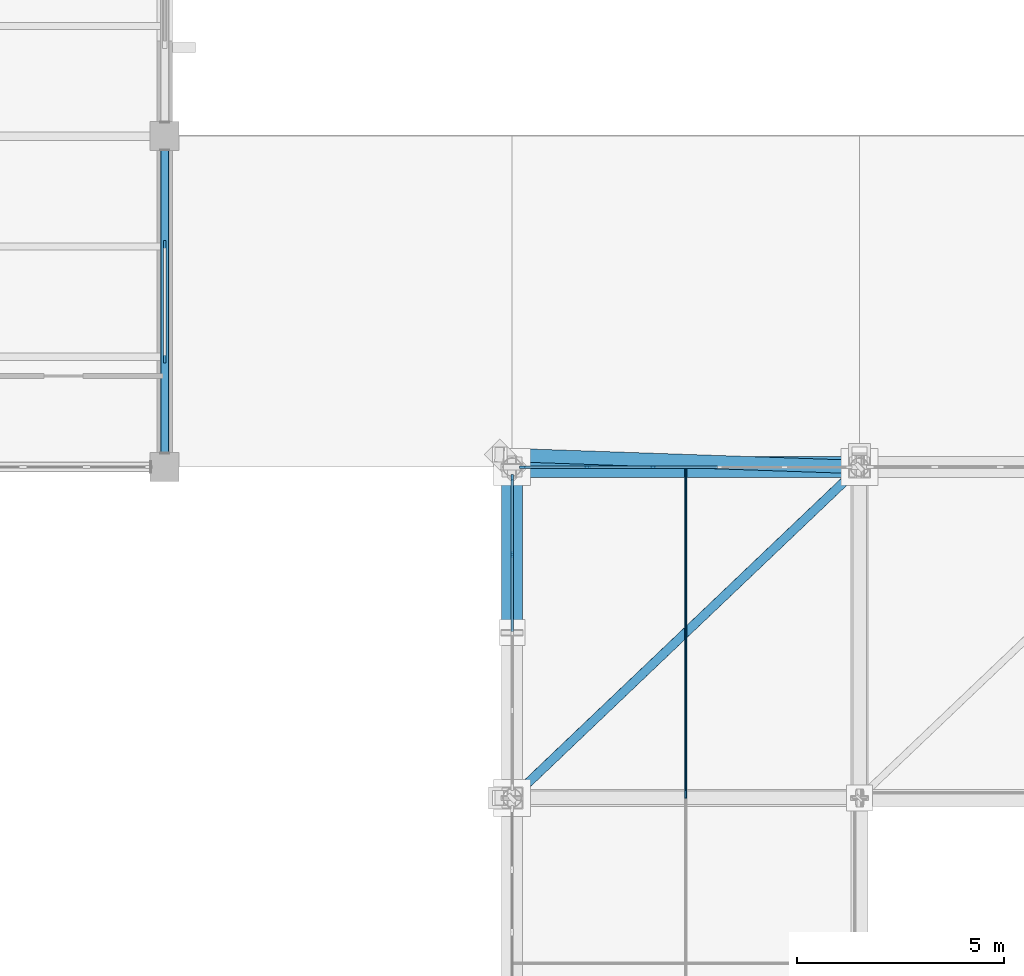
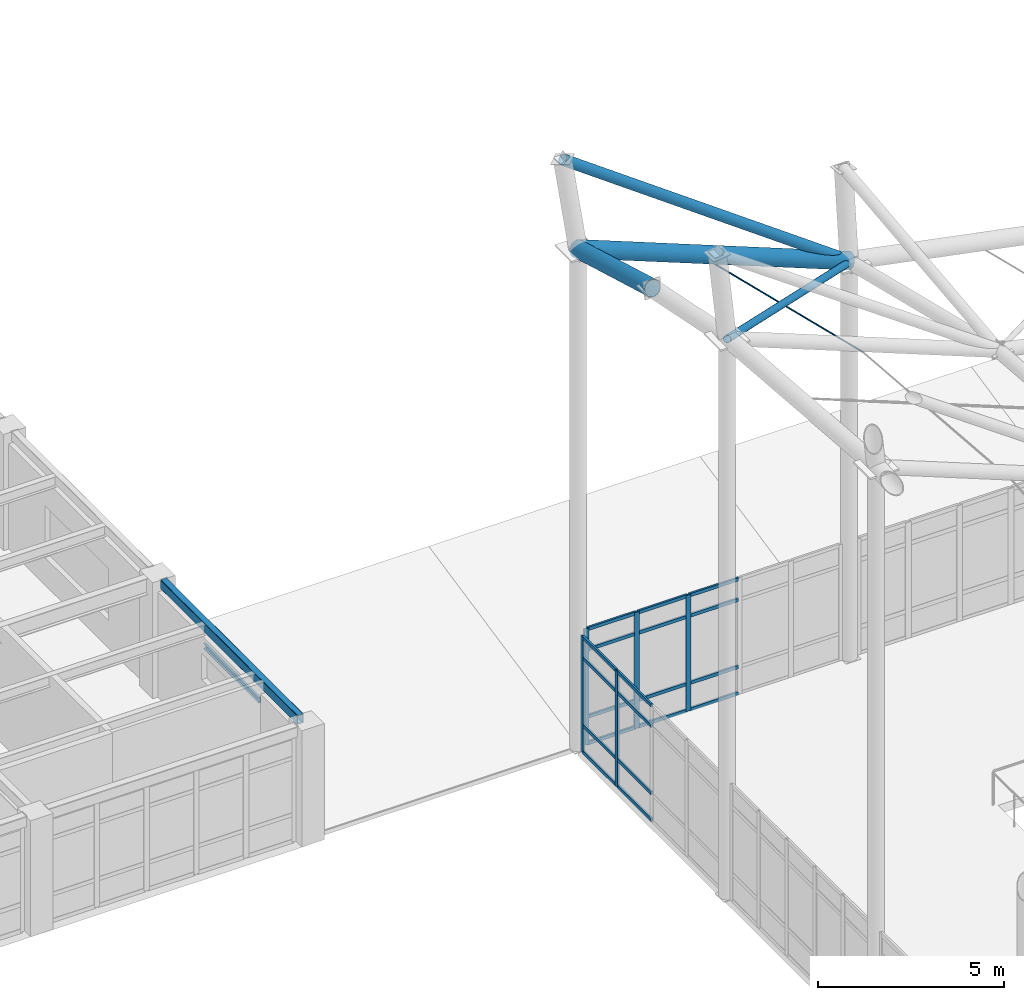
# One storey, part 42 of 138: 28 members, 4 beams, 2 elements without a shape of their own.
"""IFC4 building model written with IfcOpenShell, lengths in metres."""

from ifc_helpers import new_model, si_unit, direction, frame, origin, origin_2d, place, context, subcontext, project, spatial, rectangle, hollow_rectangle, circle, hollow_circle, u_section, extrude, material, layer, layer_set, material_profile, profile_set, type_object, element, aggregate, save


model = new_model("IFC4")

# Units and contexts
model_context = context("Model", 3, precision=1e-05, world=origin(), true_north=direction((0.0, 1.0)))
body_context = subcontext(model_context, "Body", "Model", "MODEL_VIEW")
ifc_project = project(units=[si_unit("LENGTHUNIT", "METRE"), si_unit("AREAUNIT", "SQUARE_METRE"), si_unit("VOLUMEUNIT", "CUBIC_METRE"), si_unit("PLANEANGLEUNIT", "RADIAN"), si_unit("MASSUNIT", "GRAM", prefix="KILO")], contexts=[model_context])

# Site, building, storey
site_placement = place(None, origin())
site = spatial("IfcSite", under=ifc_project, at=site_placement, CompositionType="ELEMENT")
building_placement = place(site_placement, origin())
building = spatial("IfcBuilding", under=site, at=building_placement, Name="Kranzveld Transit Interchange", CompositionType="ELEMENT")
storey_placement = place(building_placement, frame((0.0, 0.0, 5.43994140625)))
storey = spatial("IfcBuildingStorey", under=building, at=storey_placement, Name="L01", CompositionType="ELEMENT", Elevation=5.43994140625)

# Curtain wall, members
ifc_material_1 = material(Name="Bronze-anodised thermally broken aluminium", Category="aluminium")
ifc_layer_1 = layer(ifc_material_1, 0.159912109375)
ifc_layer_set_1 = layer_set([ifc_layer_1], Name="Bronze-anodised thermally broken aluminium")
curtain_wall_type_1 = type_object("IfcCurtainWallType", Name="Bus Boarding Glazed Screen CW-3", PredefinedType="USERDEFINED", material=ifc_layer_set_1)
curtain_wall_1_placement = place(storey_placement, origin())
curtain_wall_1 = element("IfcCurtainWall", 1, at=curtain_wall_1_placement, inside=storey, type_object=curtain_wall_type_1, Name="L01 Curtain Wall 08/L-08/M", ObjectType="CURTAIN WALL", PredefinedType="USERDEFINED")
ifc_material_2 = material(Name="Bronze-anodised thermally broken aluminium", Category="aluminium")
ifc_material_profile_1 = material_profile(ifc_material_2, rectangle(XDim=0.06005859375, YDim=0.14990234375, at=origin_2d()), Name="ALU MULLION 60x150")
ifc_profile_set_1 = profile_set([ifc_material_profile_1], Name="Bronze-anodised thermally broken aluminium")
member_type_1 = type_object("IfcMemberType", Name="Curtain Wall Mullion 60x150 Alu", PredefinedType="MULLION", material=ifc_profile_set_1)
member_1_placement = place(storey_placement, frame((58.800048828125, 85.8857421875, 0.0), z_axis=(0.0, 0.0, 1.0), x_axis=(-1.0, 0.0, 0.0)))
member_1 = element("IfcMember", 2, at=member_1_placement, type_object=member_type_1, Name="CW-3 mullion 4", PredefinedType="MULLION", context=body_context, shape_type="SweptSolid", body=[
    extrude(rectangle(XDim=0.06005859375, YDim=0.14990234375, at=origin_2d()), origin(), (0.0, 0.0, 1.0), 3.800048828125),
])
member_2_placement = place(storey_placement, frame((58.800048828125, 87.741455078125, 0.0), z_axis=(0.0, 0.0, 1.0), x_axis=(-1.0, 0.0, 0.0)))
member_2 = element("IfcMember", 3, at=member_2_placement, type_object=member_type_1, Name="CW-3 mullion 5", PredefinedType="MULLION", context=body_context, shape_type="SweptSolid", body=[
    extrude(rectangle(XDim=0.06005859375, YDim=0.14990234375, at=origin_2d()), origin(), (0.0, 0.0, 1.0), 3.800048828125),
])

ifc_material_3 = material(Name="Bronze-anodised thermally broken aluminium", Category="aluminium")
ifc_layer_2 = layer(ifc_material_3, 0.14990234375)
ifc_layer_set_2 = layer_set([ifc_layer_2], Name="Bronze-anodised thermally broken aluminium")
curtain_wall_type_2 = type_object("IfcCurtainWallType", Name="Public Passage Clerestory Screen CW-4", PredefinedType="USERDEFINED", material=ifc_layer_set_2)
curtain_wall_2_placement = place(storey_placement, origin())
curtain_wall_2 = element("IfcCurtainWall", 4, at=curtain_wall_2_placement, inside=storey, type_object=curtain_wall_type_2, Name="L01 Curtain Wall 08/M-09/M", ObjectType="CURTAIN WALL", PredefinedType="USERDEFINED")
member_3_placement = place(storey_placement, frame((59.05859375, 88.0, 0.0), z_axis=(0.0, 0.0, 1.0), x_axis=(0.0, 1.0, 0.0)))
member_3 = element("IfcMember", 5, at=member_3_placement, type_object=member_type_1, Name="CW-4 mullion 1", PredefinedType="MULLION", context=body_context, shape_type="SweptSolid", body=[
    extrude(rectangle(XDim=0.06005859375, YDim=0.14990234375, at=origin_2d()), origin(), (0.0, 0.0, 1.0), 3.800048828125),
])
member_4_placement = place(storey_placement, frame((60.6171875, 88.0, 0.0), z_axis=(0.0, 0.0, 1.0), x_axis=(0.0, 1.0, 0.0)))
member_4 = element("IfcMember", 6, at=member_4_placement, type_object=member_type_1, Name="CW-4 mullion 2", PredefinedType="MULLION", context=body_context, shape_type="SweptSolid", body=[
    extrude(rectangle(XDim=0.06005859375, YDim=0.14990234375, at=origin_2d()), origin(), (0.0, 0.0, 1.0), 3.800048828125),
])
member_5_placement = place(storey_placement, frame((62.205810546875, 88.0, 0.0), z_axis=(0.0, 0.0, 1.0), x_axis=(0.0, 1.0, 0.0)))
member_5 = element("IfcMember", 7, at=member_5_placement, type_object=member_type_1, Name="CW-4 mullion 3", PredefinedType="MULLION", context=body_context, shape_type="SweptSolid", body=[
    extrude(rectangle(XDim=0.06005859375, YDim=0.14990234375, at=origin_2d()), origin(), (0.0, 0.0, 1.0), 3.800048828125),
])

# Member
ifc_material_4 = material(Name="Bronze-anodised thermally broken aluminium", Category="aluminium")
ifc_material_profile_2 = material_profile(ifc_material_4, rectangle(XDim=0.06005859375, YDim=0.110107421875, at=origin_2d()), Name="ALU TRANSOM 60x110")
ifc_profile_set_2 = profile_set([ifc_material_profile_2], Name="Bronze-anodised thermally broken aluminium")
member_type_2 = type_object("IfcMemberType", Name="Curtain Wall Transom 60x110 Alu", PredefinedType="USERDEFINED", material=ifc_profile_set_2)
member_6_placement = place(storey_placement, frame((58.800048828125, 84.030029296875, 0.030029296875), z_axis=(0.0, 1.0, 0.0), x_axis=(-1.0, 0.0, 0.0)))
member_6 = element("IfcMember", 8, at=member_6_placement, type_object=member_type_2, Name="CW-3 transom 3.1", ObjectType="TRANSOM", PredefinedType="USERDEFINED", context=body_context, shape_type="SweptSolid", body=[
    extrude(rectangle(XDim=0.06005859375, YDim=0.110107421875, at=origin_2d()), origin(), (0.0, 0.0, 1.0), 1.82568359375),
])

member_7_placement = place(storey_placement, frame((58.800048828125, 84.030029296875, 0.900146484375), z_axis=(0.0, 1.0, 0.0), x_axis=(-1.0, 0.0, 0.0)))
member_7 = element("IfcMember", 9, at=member_7_placement, type_object=member_type_2, Name="CW-3 transom 3.2", ObjectType="TRANSOM", PredefinedType="USERDEFINED", context=body_context, shape_type="SweptSolid", body=[
    extrude(rectangle(XDim=0.06005859375, YDim=0.110107421875, at=origin_2d()), origin(), (0.0, 0.0, 1.0), 1.82568359375),
])

member_8_placement = place(storey_placement, frame((58.800048828125, 84.030029296875, 3.10009765625), z_axis=(0.0, 1.0, 0.0), x_axis=(-1.0, 0.0, 0.0)))
member_8 = element("IfcMember", 10, at=member_8_placement, type_object=member_type_2, Name="CW-3 transom 3.3", ObjectType="TRANSOM", PredefinedType="USERDEFINED", context=body_context, shape_type="SweptSolid", body=[
    extrude(rectangle(XDim=0.06005859375, YDim=0.110107421875, at=origin_2d()), origin(), (0.0, 0.0, 1.0), 1.82568359375),
])

member_9_placement = place(storey_placement, frame((58.800048828125, 84.030029296875, 3.77001953125), z_axis=(0.0, 1.0, 0.0), x_axis=(-1.0, 0.0, 0.0)))
member_9 = element("IfcMember", 11, at=member_9_placement, type_object=member_type_2, Name="CW-3 transom 3.4", ObjectType="TRANSOM", PredefinedType="USERDEFINED", context=body_context, shape_type="SweptSolid", body=[
    extrude(rectangle(XDim=0.06005859375, YDim=0.110107421875, at=origin_2d()), origin(), (0.0, 0.0, 1.0), 1.82568359375),
])

member_10_placement = place(storey_placement, frame((58.800048828125, 85.915771484375, 0.030029296875), z_axis=(0.0, 1.0, 0.0), x_axis=(-1.0, 0.0, 0.0)))
member_10 = element("IfcMember", 12, at=member_10_placement, type_object=member_type_2, Name="CW-3 transom 4.1", ObjectType="TRANSOM", PredefinedType="USERDEFINED", context=body_context, shape_type="SweptSolid", body=[
    extrude(rectangle(XDim=0.06005859375, YDim=0.110107421875, at=origin_2d()), origin(), (0.0, 0.0, 1.0), 1.795654296875),
])

member_11_placement = place(storey_placement, frame((58.800048828125, 85.915771484375, 0.900146484375), z_axis=(0.0, 1.0, 0.0), x_axis=(-1.0, 0.0, 0.0)))
member_11 = element("IfcMember", 13, at=member_11_placement, type_object=member_type_2, Name="CW-3 transom 4.2", ObjectType="TRANSOM", PredefinedType="USERDEFINED", context=body_context, shape_type="SweptSolid", body=[
    extrude(rectangle(XDim=0.06005859375, YDim=0.110107421875, at=origin_2d()), origin(), (0.0, 0.0, 1.0), 1.795654296875),
])

member_12_placement = place(storey_placement, frame((58.800048828125, 85.915771484375, 3.10009765625), z_axis=(0.0, 1.0, 0.0), x_axis=(-1.0, 0.0, 0.0)))
member_12 = element("IfcMember", 14, at=member_12_placement, type_object=member_type_2, Name="CW-3 transom 4.3", ObjectType="TRANSOM", PredefinedType="USERDEFINED", context=body_context, shape_type="SweptSolid", body=[
    extrude(rectangle(XDim=0.06005859375, YDim=0.110107421875, at=origin_2d()), origin(), (0.0, 0.0, 1.0), 1.795654296875),
])

member_13_placement = place(storey_placement, frame((58.800048828125, 85.915771484375, 3.77001953125), z_axis=(0.0, 1.0, 0.0), x_axis=(-1.0, 0.0, 0.0)))
member_13 = element("IfcMember", 15, at=member_13_placement, type_object=member_type_2, Name="CW-3 transom 4.4", ObjectType="TRANSOM", PredefinedType="USERDEFINED", context=body_context, shape_type="SweptSolid", body=[
    extrude(rectangle(XDim=0.06005859375, YDim=0.110107421875, at=origin_2d()), origin(), (0.0, 0.0, 1.0), 1.795654296875),
])

aggregate(curtain_wall_1, [member_1, member_2, member_6, member_7, member_8, member_9, member_10, member_11, member_12, member_13])

member_14_placement = place(storey_placement, frame((59.08837890625, 88.0, 0.030029296875), z_axis=(1.0, 0.0, 0.0), x_axis=(0.0, 1.0, 0.0)))
member_14 = element("IfcMember", 16, at=member_14_placement, type_object=member_type_2, Name="CW-4 transom 1.1", ObjectType="TRANSOM", PredefinedType="USERDEFINED", context=body_context, shape_type="SweptSolid", body=[
    extrude(rectangle(XDim=0.06005859375, YDim=0.110107421875, at=origin_2d()), origin(), (0.0, 0.0, 1.0), 1.498779296875),
])

member_15_placement = place(storey_placement, frame((59.08837890625, 88.0, 0.900146484375), z_axis=(1.0, 0.0, 0.0), x_axis=(0.0, 1.0, 0.0)))
member_15 = element("IfcMember", 17, at=member_15_placement, type_object=member_type_2, Name="CW-4 transom 1.2", ObjectType="TRANSOM", PredefinedType="USERDEFINED", context=body_context, shape_type="SweptSolid", body=[
    extrude(rectangle(XDim=0.06005859375, YDim=0.110107421875, at=origin_2d()), origin(), (0.0, 0.0, 1.0), 1.498779296875),
])

member_16_placement = place(storey_placement, frame((59.08837890625, 88.0, 3.10009765625), z_axis=(1.0, 0.0, 0.0), x_axis=(0.0, 1.0, 0.0)))
member_16 = element("IfcMember", 18, at=member_16_placement, type_object=member_type_2, Name="CW-4 transom 1.3", ObjectType="TRANSOM", PredefinedType="USERDEFINED", context=body_context, shape_type="SweptSolid", body=[
    extrude(rectangle(XDim=0.06005859375, YDim=0.110107421875, at=origin_2d()), origin(), (0.0, 0.0, 1.0), 1.498779296875),
])

member_17_placement = place(storey_placement, frame((59.08837890625, 88.0, 3.77001953125), z_axis=(1.0, 0.0, 0.0), x_axis=(0.0, 1.0, 0.0)))
member_17 = element("IfcMember", 19, at=member_17_placement, type_object=member_type_2, Name="CW-4 transom 1.4", ObjectType="TRANSOM", PredefinedType="USERDEFINED", context=body_context, shape_type="SweptSolid", body=[
    extrude(rectangle(XDim=0.06005859375, YDim=0.110107421875, at=origin_2d()), origin(), (0.0, 0.0, 1.0), 1.498779296875),
])

member_18_placement = place(storey_placement, frame((60.647216796875, 88.0, 0.030029296875), z_axis=(1.0, 0.0, 0.0), x_axis=(0.0, 1.0, 0.0)))
member_18 = element("IfcMember", 20, at=member_18_placement, type_object=member_type_2, Name="CW-4 transom 2.1", ObjectType="TRANSOM", PredefinedType="USERDEFINED", context=body_context, shape_type="SweptSolid", body=[
    extrude(rectangle(XDim=0.06005859375, YDim=0.110107421875, at=origin_2d()), origin(), (0.0, 0.0, 1.0), 1.528564453125),
])

member_19_placement = place(storey_placement, frame((60.647216796875, 88.0, 0.900146484375), z_axis=(1.0, 0.0, 0.0), x_axis=(0.0, 1.0, 0.0)))
member_19 = element("IfcMember", 21, at=member_19_placement, type_object=member_type_2, Name="CW-4 transom 2.2", ObjectType="TRANSOM", PredefinedType="USERDEFINED", context=body_context, shape_type="SweptSolid", body=[
    extrude(rectangle(XDim=0.06005859375, YDim=0.110107421875, at=origin_2d()), origin(), (0.0, 0.0, 1.0), 1.528564453125),
])

member_20_placement = place(storey_placement, frame((60.647216796875, 88.0, 3.10009765625), z_axis=(1.0, 0.0, 0.0), x_axis=(0.0, 1.0, 0.0)))
member_20 = element("IfcMember", 22, at=member_20_placement, type_object=member_type_2, Name="CW-4 transom 2.3", ObjectType="TRANSOM", PredefinedType="USERDEFINED", context=body_context, shape_type="SweptSolid", body=[
    extrude(rectangle(XDim=0.06005859375, YDim=0.110107421875, at=origin_2d()), origin(), (0.0, 0.0, 1.0), 1.528564453125),
])

member_21_placement = place(storey_placement, frame((60.647216796875, 88.0, 3.77001953125), z_axis=(1.0, 0.0, 0.0), x_axis=(0.0, 1.0, 0.0)))
member_21 = element("IfcMember", 23, at=member_21_placement, type_object=member_type_2, Name="CW-4 transom 2.4", ObjectType="TRANSOM", PredefinedType="USERDEFINED", context=body_context, shape_type="SweptSolid", body=[
    extrude(rectangle(XDim=0.06005859375, YDim=0.110107421875, at=origin_2d()), origin(), (0.0, 0.0, 1.0), 1.528564453125),
])

member_22_placement = place(storey_placement, frame((62.235595703125, 88.0, 0.030029296875), z_axis=(1.0, 0.0, 0.0), x_axis=(0.0, 1.0, 0.0)))
member_22 = element("IfcMember", 24, at=member_22_placement, type_object=member_type_2, Name="CW-4 transom 3.1", ObjectType="TRANSOM", PredefinedType="USERDEFINED", context=body_context, shape_type="SweptSolid", body=[
    extrude(rectangle(XDim=0.06005859375, YDim=0.110107421875, at=origin_2d()), origin(), (0.0, 0.0, 1.0), 1.52880859375),
])

member_23_placement = place(storey_placement, frame((62.235595703125, 88.0, 0.900146484375), z_axis=(1.0, 0.0, 0.0), x_axis=(0.0, 1.0, 0.0)))
member_23 = element("IfcMember", 25, at=member_23_placement, type_object=member_type_2, Name="CW-4 transom 3.2", ObjectType="TRANSOM", PredefinedType="USERDEFINED", context=body_context, shape_type="SweptSolid", body=[
    extrude(rectangle(XDim=0.06005859375, YDim=0.110107421875, at=origin_2d()), origin(), (0.0, 0.0, 1.0), 1.52880859375),
])

member_24_placement = place(storey_placement, frame((62.235595703125, 88.0, 3.10009765625), z_axis=(1.0, 0.0, 0.0), x_axis=(0.0, 1.0, 0.0)))
member_24 = element("IfcMember", 26, at=member_24_placement, type_object=member_type_2, Name="CW-4 transom 3.3", ObjectType="TRANSOM", PredefinedType="USERDEFINED", context=body_context, shape_type="SweptSolid", body=[
    extrude(rectangle(XDim=0.06005859375, YDim=0.110107421875, at=origin_2d()), origin(), (0.0, 0.0, 1.0), 1.52880859375),
])

member_25_placement = place(storey_placement, frame((62.235595703125, 88.0, 3.77001953125), z_axis=(1.0, 0.0, 0.0), x_axis=(0.0, 1.0, 0.0)))
member_25 = element("IfcMember", 27, at=member_25_placement, type_object=member_type_2, Name="CW-4 transom 3.4", ObjectType="TRANSOM", PredefinedType="USERDEFINED", context=body_context, shape_type="SweptSolid", body=[
    extrude(rectangle(XDim=0.06005859375, YDim=0.110107421875, at=origin_2d()), origin(), (0.0, 0.0, 1.0), 1.52880859375),
])

aggregate(curtain_wall_2, [member_3, member_4, member_5, member_14, member_15, member_16, member_17, member_18, member_19, member_20, member_21, member_22, member_23, member_24, member_25])

# Beam
ifc_material_5 = material(Name="Steel S355JR", Category="steel")
ifc_material_profile_3 = material_profile(ifc_material_5, hollow_rectangle(XDim=0.199951171875, YDim=0.300048828125, WallThickness=0.010009765625, InnerFilletRadius=0.014892578125, OuterFilletRadius=0.02490234375, at=origin_2d()), Name="RHS 300x200x10")
ifc_profile_set_3 = profile_set([ifc_material_profile_3], Name="Steel S355JR")
beam_type_1 = type_object("IfcBeamType", Name="Edge Spandrel RHS 300x200x10 S355JR", PredefinedType="SPANDREL", material=ifc_profile_set_3)
beam_1_placement = place(storey_placement, frame((50.39990234375, 88.340087890625, 3.650146484375), z_axis=(0.0, 1.0, 0.0), x_axis=(-1.0, 0.0, 0.0)))
element("IfcBeam", 28, at=beam_1_placement, inside=storey, type_object=beam_type_1, Name="L01 Girder 07/M-N", PredefinedType="SPANDREL", context=body_context, shape_type="SweptSolid", body=[
    extrude(hollow_rectangle(XDim=0.199951171875, YDim=0.300048828125, WallThickness=0.010009765625, InnerFilletRadius=0.014892578125, OuterFilletRadius=0.02490234375, at=origin_2d()), origin(), (0.0, 0.0, 1.0), 7.31982421875),
])

# Member
ifc_material_6 = material(Name="Steel S355JR", Category="steel")
ifc_material_profile_4 = material_profile(ifc_material_6, hollow_circle(Radius=0.109619140625, WallThickness=0.008056640625, at=origin_2d()), Name="CHS 219.1x8")
ifc_profile_set_4 = profile_set([ifc_material_profile_4], Name="Steel S355JR")
member_type_3 = type_object("IfcMemberType", Name="Lateral Brace CHS 219.1x8 S355JR", PredefinedType="BRACE", material=ifc_profile_set_4)
member_26_placement = place(storey_placement, frame((58.800048828125, 80.0, 18.2099609375), z_axis=(0.659117251963, 0.627738014077, -0.414136974741), x_axis=(-0.689659376744, 0.724133926887, 0.0)))
element("IfcMember", 29, at=member_26_placement, inside=storey, type_object=member_type_3, Name="Saddle Roof Plan Brace 08/L-09/M", PredefinedType="BRACE", context=body_context, shape_type="SweptSolid", body=[
    extrude(hollow_circle(Radius=0.109619140625, WallThickness=0.008056640625, at=origin_2d()), origin(), (0.0, 0.0, 1.0), 12.744140625),
])

# Beam
ifc_material_7 = material(Name="Steel S355JR", Category="steel")
ifc_material_profile_5 = material_profile(ifc_material_7, u_section(Depth=0.179931640625, FlangeWidth=0.070068359375, WebThickness=0.007080078125, FlangeThickness=0.010986328125, FilletRadius=0.010009765625, at=origin_2d()), Name="PFC 180x70x22")
ifc_profile_set_5 = profile_set([ifc_material_profile_5], Name="Steel S355JR")
beam_type_2 = type_object("IfcBeamType", Name="Masonry Lintel PFC 180x70x22 S355JR", PredefinedType="LINTEL", material=ifc_profile_set_5)
beam_2_placement = place(storey_placement, frame((50.39990234375, 90.52001953125, 2.945068359375), z_axis=(0.0, 1.0, 0.0), x_axis=(-1.0, 0.0, 0.0)))
element("IfcBeam", 30, at=beam_2_placement, inside=storey, type_object=beam_type_2, Name="L01 Window Lintel 081", PredefinedType="LINTEL", context=body_context, shape_type="SweptSolid", body=[
    extrude(u_section(Depth=0.179931640625, FlangeWidth=0.070068359375, WebThickness=0.007080078125, FlangeThickness=0.010986328125, FilletRadius=0.010009765625, at=origin_2d()), origin(), (0.0, 0.0, 1.0), 2.9599609375),
])

# Member
ifc_material_8 = material(Name="Steel S355JR", Category="steel")
ifc_material_profile_6 = material_profile(ifc_material_8, hollow_circle(Radius=0.161865234375, WallThickness=0.012451171875, at=origin_2d()), Name="CHS 323.9x12.5")
ifc_profile_set_6 = profile_set([ifc_material_profile_6], Name="Steel S355JR")
member_type_4 = type_object("IfcMemberType", Name="Mast Tripod Strut CHS 323.9x12.5 S355JR", PredefinedType="STRUT", material=ifc_profile_set_6)
member_27_placement = place(storey_placement, frame((67.199951171875, 88.0, 12.982177734375), z_axis=(-0.81501599691, 0.02810873187, 0.578756273377), x_axis=(-0.034468071491, -0.999405799487, 0.0)))
element("IfcMember", 31, at=member_27_placement, inside=storey, type_object=member_type_4, Name="Mast Tripod Strut MS-05", PredefinedType="STRUT", context=body_context, shape_type="SweptSolid", body=[
    extrude(hollow_circle(Radius=0.161865234375, WallThickness=0.012451171875, at=origin_2d()), origin(), (0.0, 0.0, 1.0), 10.674560546875),
])

# Beams
ifc_material_9 = material(Name="Steel S355JR", Category="steel")
ifc_material_profile_7 = material_profile(ifc_material_9, hollow_circle(Radius=0.25390625, WallThickness=0.02001953125, at=origin_2d()), Name="CHS 508x20")
ifc_profile_set_7 = profile_set([ifc_material_profile_7], Name="Steel S355JR")
beam_type_3 = type_object("IfcBeamType", Name="Ring Beam Steel CHS 508x20 S355JR", PredefinedType="BEAM", material=ifc_profile_set_7)
beam_3_placement = place(storey_placement, frame((67.199951171875, 88.0, 12.982177734375), z_axis=(-0.929695991495, 0.0, 0.36832779341), x_axis=(0.0, -1.0, 0.0)))
element("IfcBeam", 32, at=beam_3_placement, inside=storey, type_object=beam_type_3, Name="Saddle Compression Ring Chord 09M-08M", PredefinedType="BEAM", context=body_context, shape_type="SweptSolid", body=[
    extrude(hollow_circle(Radius=0.25390625, WallThickness=0.02001953125, at=origin_2d()), origin(), (0.0, 0.0, 1.0), 9.03515625),
])
beam_4_placement = place(storey_placement, frame((58.800048828125, 88.0, 16.31005859375), z_axis=(0.0, -0.96186658105, 0.273519067451), x_axis=(1.0, 0.0, 0.0)))
element("IfcBeam", 33, at=beam_4_placement, inside=storey, type_object=beam_type_3, Name="Saddle Compression Ring Chord 08M-08Lm", PredefinedType="BEAM", context=body_context, shape_type="SweptSolid", body=[
    extrude(hollow_circle(Radius=0.25390625, WallThickness=0.02001953125, at=origin_2d()), origin(), (0.0, 0.0, 1.0), 4.15869140625),
])

# Member
ifc_material_10 = material(Name="Steel S355JR", Category="steel")
ifc_material_profile_8 = material_profile(ifc_material_10, circle(Radius=0.02392578125, at=origin_2d()), Name="CABLE D48")
ifc_profile_set_8 = profile_set([ifc_material_profile_8], Name="Steel S355JR")
member_type_5 = type_object("IfcMemberType", Name="Saddle Stabilising Cable D48 S355JR", PredefinedType="USERDEFINED", material=ifc_profile_set_8)
member_28_placement = place(storey_placement, frame((63.0, 80.0, 16.318115234375), z_axis=(0.0, 0.971555787477, -0.236810793292), x_axis=(-1.0, 0.0, 0.0)))
element("IfcMember", 34, at=member_28_placement, inside=storey, type_object=member_type_5, Name="Saddle Stabilising Cable 09/L", ObjectType="CABLE", PredefinedType="USERDEFINED", context=body_context, shape_type="SweptSolid", body=[
    extrude(circle(Radius=0.02392578125, at=origin_2d()), origin(), (0.0, 0.0, 1.0), 8.234130859375),
])

save(model, "model.ifc")
